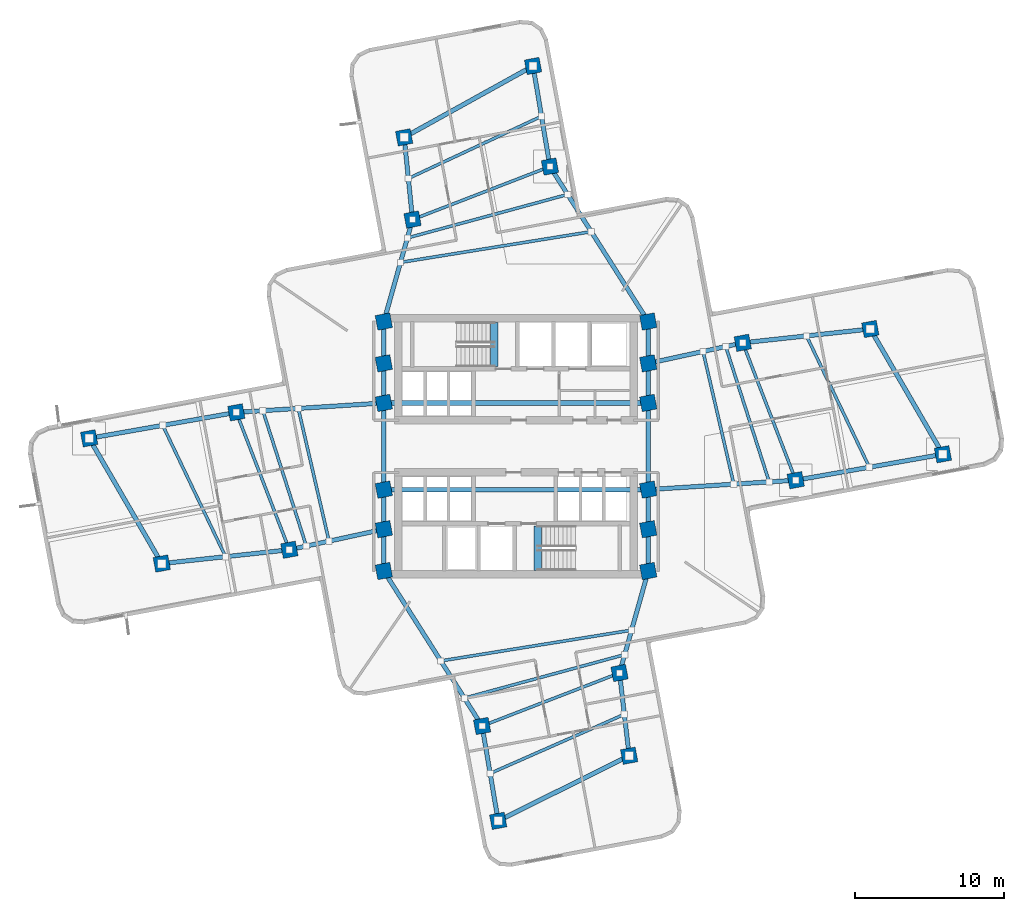
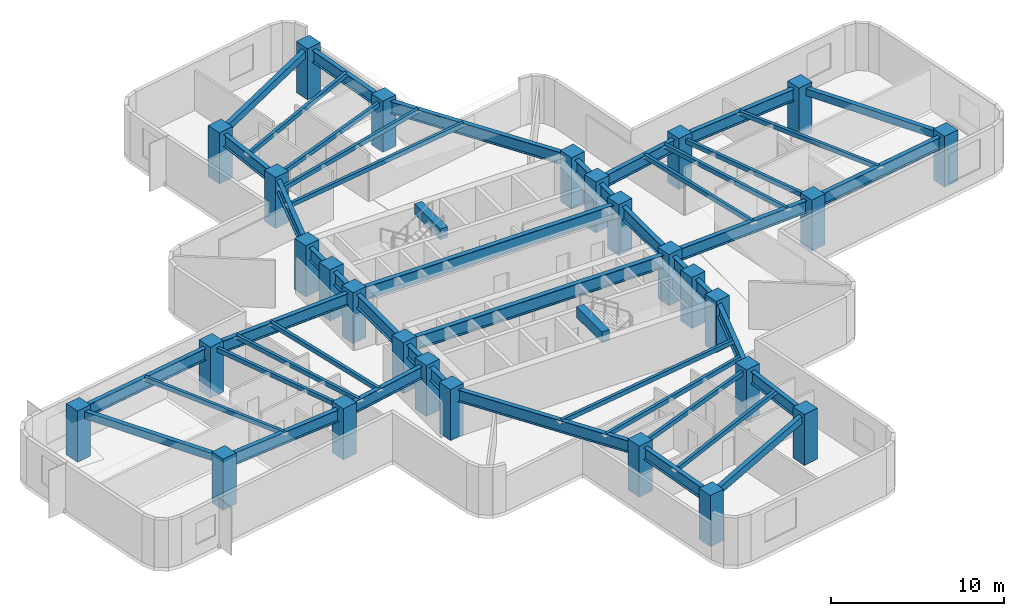
# One storey, part 1 of 9: 50 beams, 28 columns.
"""IFC4 building model written with IfcOpenShell, lengths in metres."""

from ifc_helpers import new_model, si_unit, direction, frame, origin, origin_2d, place, context, subcontext, project, spatial, rectangle, hollow_rectangle, i_section, extrude, material, material_profile, profile_set, type_object, element, save


model = new_model("IFC4")

# Units and contexts
model_context = context("Model", 3, precision=1e-05, world=origin(), true_north=direction((0.0, 1.0)))
body_context = subcontext(model_context, "Body", "Model", "MODEL_VIEW")
ifc_project = project(units=[si_unit("LENGTHUNIT", "METRE"), si_unit("AREAUNIT", "SQUARE_METRE"), si_unit("VOLUMEUNIT", "CUBIC_METRE"), si_unit("PLANEANGLEUNIT", "RADIAN"), si_unit("MASSUNIT", "GRAM", prefix="KILO")], contexts=[model_context])

# Site, building, storey
site_placement = place(None, origin())
site = spatial("IfcSite", under=ifc_project, at=site_placement, CompositionType="ELEMENT")
building_placement = place(site_placement, origin())
building = spatial("IfcBuilding", under=site, at=building_placement, Name="Solmarez Civic Tower", CompositionType="ELEMENT")
storey_placement = place(building_placement, frame((0.0, 0.0, 100.080078125)))
storey = spatial("IfcBuildingStorey", under=building, at=storey_placement, Name="L26", CompositionType="ELEMENT", Elevation=100.080078125)

# Columns
ifc_material_1 = material(Name="Concrete C60/75", Category="concrete")
ifc_material_profile_1 = material_profile(ifc_material_1, rectangle(XDim=1.0, YDim=1.0, at=origin_2d()), Name="RC1000X1000")
ifc_profile_set_1 = profile_set([ifc_material_profile_1], Name="Concrete C60/75")
column_type = type_object("IfcColumnType", Name="COL-RC1000", PredefinedType="COLUMN", material=ifc_profile_set_1)
for number, where, z_axis, x_axis, name in (
    (1, (-8.85009765625, -5.550048828125, 0.0), (0.0, 0.0, 1.0), (0.98293534915, 0.183951350613, 0.0), "L26 Structural Column HC1"),
    (2, (-8.85009765625, -2.89990234375, 0.0), (0.0, 0.0, 1.0), (0.98293534915, 0.183951350613, 0.0), "L26 Structural Column HC2"),
    (3, (-8.85009765625, 2.89990234375, 0.0), (0.0, 0.0, 1.0), (0.98293534915, 0.183951350613, 0.0), "L26 Structural Column HC3"),
    (4, (-8.85009765625, 5.550048828125, 0.0), (0.0, 0.0, 1.0), (0.98293534915, 0.183951350613, 0.0), "L26 Structural Column HC4"),
    (5, (8.85009765625, -5.550048828125, 0.0), (0.0, 0.0, 1.0), (0.98293534915, 0.183951350613, 0.0), "L26 Structural Column HC5"),
    (6, (8.85009765625, -2.89990234375, 0.0), (0.0, 0.0, 1.0), (0.98293534915, 0.183951350613, 0.0), "L26 Structural Column HC6"),
    (7, (8.85009765625, 2.89990234375, 0.0), (0.0, 0.0, 1.0), (0.98293534915, 0.183951350613, 0.0), "L26 Structural Column HC7"),
    (8, (8.85009765625, 5.550048828125, 0.0), (0.0, 0.0, 1.0), (0.98293534915, 0.183951350613, 0.0), "L26 Structural Column HC8"),
    (9, (-8.85009765625, 8.35009765625, 0.0), (0.0, 0.0, 1.0), (0.98293534915, 0.183951350613, 0.0), "L26 Structural Column HC9"),
    (10, (8.85009765625, -8.35009765625, 0.0), (0.0, 0.0, 1.0), (0.98293534915, 0.183951350613, 0.0), "L26 Structural Column HC10"),
    (11, (8.85009765625, 8.35009765625, 0.0), (0.0, 0.0, 1.0), (0.98293534915, 0.183951350613, 0.0), "L26 Structural Column HC11"),
    (12, (-8.85009765625, -8.35009765625, 0.0), (0.0, 0.0, 1.0), (0.98293534915, 0.183951350613, 0.0), "L26 Structural Column HC12"),
    (13, (18.72412109375, -2.27099609375, 0.0), (0.0, 0.0, 1.0), (0.98293534915, 0.183951350613, 0.0), "L26 Structural Column EA11"),
    (14, (15.175048828125, 6.927001953125, 0.0), (0.0, 0.0, 1.0), (0.98293534915, 0.183951350613, 0.0), "L26 Structural Column EA12"),
    (15, (28.575927734375, -0.532958984375, 0.0), (0.0, 0.0, 1.0), (0.98293534915, 0.183951350613, 0.0), "L26 Structural Column EA21"),
    (16, (23.715087890625, 7.85107421875, 0.0), (0.0, 0.0, 1.0), (0.98293534915, 0.183951350613, 0.0), "L26 Structural Column EA22"),
    (17, (2.27099609375, 18.72412109375, 0.0), (0.0, 0.0, 1.0), (0.98293534915, 0.183951350613, 0.0), "L26 Structural Column NA11"),
    (18, (-6.927001953125, 15.175048828125, 0.0), (0.0, 0.0, 1.0), (0.98293534915, 0.183951350613, 0.0), "L26 Structural Column NA12"),
    (19, (1.138916015625, 25.45703125, 0.0), (0.0, 0.0, 1.0), (0.98293534915, 0.183951350613, 0.0), "L26 Structural Column NA21"),
    (20, (-7.489013671875, 20.678955078125, 0.0), (0.0, 0.0, 1.0), (0.98293534915, 0.183951350613, 0.0), "L26 Structural Column NA22"),
    (21, (-18.72412109375, 2.27099609375, 0.0), (0.0, 0.0, 1.0), (0.98293534915, 0.183951350613, 0.0), "L26 Structural Column WA11"),
    (22, (-15.175048828125, -6.927001953125, 0.0), (0.0, 0.0, 1.0), (0.98293534915, 0.183951350613, 0.0), "L26 Structural Column WA12"),
    (23, (-28.575927734375, 0.532958984375, 0.0), (0.0, 0.0, 1.0), (0.98293534915, 0.183951350613, 0.0), "L26 Structural Column WA21"),
    (24, (-23.715087890625, -7.85107421875, 0.0), (0.0, 0.0, 1.0), (0.98293534915, 0.183951350613, 0.0), "L26 Structural Column WA22"),
    (25, (-2.27099609375, -18.72412109375, 0.0), (0.0, 0.0, 1.0), (0.98293534915, 0.183951350613, 0.0), "L26 Structural Column SA11"),
    (26, (6.927001953125, -15.175048828125, 0.0), (0.0, 0.0, 1.0), (0.98293534915, 0.183951350613, 0.0), "L26 Structural Column SA12"),
    (27, (-1.195068359375, -25.073974609375, 0.0), (0.0, 0.0, 1.0), (0.98293534915, 0.183951350613, 0.0), "L26 Structural Column SA21"),
    (28, (7.573974609375, -20.714111328125, 0.0), (0.0, 0.0, 1.0), (0.98293534915, 0.183951350613, 0.0), "L26 Structural Column SA22"),
):
    element("IfcColumn", number, at=place(storey_placement, frame(where, z_axis=z_axis, x_axis=x_axis)), inside=storey, type_object=column_type, Name=name, PredefinedType="COLUMN", context=body_context, shape_type="SweptSolid", body=[
        extrude(rectangle(XDim=1.0, YDim=1.0, at=origin_2d()), origin(), (0.0, 0.0, 1.0), 3.599853515625),
    ])

# Beams
ifc_material_2 = material(Name="Steel S355", Category="steel")
ifc_material_profile_2 = material_profile(ifc_material_2, hollow_rectangle(XDim=0.199951171875, YDim=0.300048828125, WallThickness=0.011962890625, at=origin_2d()), Name="HSS300X200X12")
ifc_profile_set_2 = profile_set([ifc_material_profile_2], Name="Steel S355")
beam_type_1 = type_object("IfcBeamType", Name="BM-JS-HSS300X200", PredefinedType="JOIST", material=ifc_profile_set_2)
beam_1_placement = place(storey_placement, frame((18.72412109375, -2.27099609375, 3.18994140625), z_axis=(-0.359984466214, 0.932958297077, 0.0), x_axis=(-0.932958297077, -0.359984466214, 0.0)))
element("IfcBeam", 29, at=beam_1_placement, inside=storey, type_object=beam_type_1, Name="L26 Secondary Floor Joist BM-L26-EA-T1", PredefinedType="JOIST", context=body_context, shape_type="SweptSolid", body=[
    extrude(hollow_rectangle(XDim=0.199951171875, YDim=0.300048828125, WallThickness=0.011962890625, at=origin_2d()), origin(), (0.0, 0.0, 1.0), 9.85888671875),
])
beam_2_placement = place(storey_placement, frame((23.64990234375, -1.402099609375, 3.18994140625), z_axis=(-0.431491843414, 0.902116837814, 0.0), x_axis=(-0.902116837814, -0.431491843414, 0.0)))
element("IfcBeam", 30, at=beam_2_placement, inside=storey, type_object=beam_type_1, Name="L26 Secondary Floor Joist JS-L26-EA-M2", PredefinedType="JOIST", context=body_context, shape_type="SweptSolid", body=[
    extrude(hollow_rectangle(XDim=0.199951171875, YDim=0.300048828125, WallThickness=0.011962890625, at=origin_2d()), origin(), (0.0, 0.0, 1.0), 9.744873046875),
])
beam_3_placement = place(storey_placement, frame((14.576904296875, -2.534912109375, 3.18994140625), z_axis=(-0.225762717226, 0.974182321494, 0.0), x_axis=(-0.974182321494, -0.225762717226, 0.0)))
element("IfcBeam", 31, at=beam_3_placement, inside=storey, type_object=beam_type_1, Name="L26 Secondary Floor Joist JS-L26-EA-M11", PredefinedType="JOIST", context=body_context, shape_type="SweptSolid", body=[
    extrude(hollow_rectangle(XDim=0.199951171875, YDim=0.300048828125, WallThickness=0.011962890625, at=origin_2d()), origin(), (0.0, 0.0, 1.0), 9.119384765625),
])
beam_4_placement = place(storey_placement, frame((16.947021484375, -2.384033203125, 3.18994140625), z_axis=(-0.305705295997, 0.952126184914, 0.0), x_axis=(-0.952126184914, -0.305705295997, 0.0)))
element("IfcBeam", 32, at=beam_4_placement, inside=storey, type_object=beam_type_1, Name="L26 Secondary Floor Joist JS-L26-EA-M12", PredefinedType="JOIST", context=body_context, shape_type="SweptSolid", body=[
    extrude(hollow_rectangle(XDim=0.199951171875, YDim=0.300048828125, WallThickness=0.011962890625, at=origin_2d()), origin(), (0.0, 0.0, 1.0), 9.518798828125),
])
beam_5_placement = place(storey_placement, frame((2.27099609375, 18.72412109375, 3.18994140625), z_axis=(-0.932958297077, -0.359984466214, 0.0), x_axis=(0.359984466214, -0.932958297077, 0.0)))
element("IfcBeam", 33, at=beam_5_placement, inside=storey, type_object=beam_type_1, Name="L26 Secondary Floor Joist BM-L26-NA-T1", PredefinedType="JOIST", context=body_context, shape_type="SweptSolid", body=[
    extrude(hollow_rectangle(XDim=0.199951171875, YDim=0.300048828125, WallThickness=0.011962890625, at=origin_2d()), origin(), (0.0, 0.0, 1.0), 9.85888671875),
])
beam_6_placement = place(storey_placement, frame((1.705078125, 22.090087890625, 3.18994140625), z_axis=(-0.906041066986, -0.423189774138, 0.0), x_axis=(0.423189774138, -0.906041066986, 0.0)))
element("IfcBeam", 34, at=beam_6_placement, inside=storey, type_object=beam_type_1, Name="L26 Secondary Floor Joist JS-L26-NA-M2", PredefinedType="JOIST", context=body_context, shape_type="SweptSolid", body=[
    extrude(hollow_rectangle(XDim=0.199951171875, YDim=0.300048828125, WallThickness=0.011962890625, at=origin_2d()), origin(), (0.0, 0.0, 1.0), 9.83740234375),
])
beam_7_placement = place(storey_placement, frame((5.033935546875, 14.366943359375, 3.18994140625), z_axis=(-0.987261309887, -0.159107215423, 0.0), x_axis=(0.159107215423, -0.987261309887, 0.0)))
element("IfcBeam", 35, at=beam_7_placement, inside=storey, type_object=beam_type_1, Name="L26 Secondary Floor Joist JS-L26-NA-M11", PredefinedType="JOIST", context=body_context, shape_type="SweptSolid", body=[
    extrude(hollow_rectangle(XDim=0.199951171875, YDim=0.300048828125, WallThickness=0.011962890625, at=origin_2d()), origin(), (0.0, 0.0, 1.0), 12.933837890625),
])
beam_8_placement = place(storey_placement, frame((3.455078125, 16.85693359375, 3.18994140625), z_axis=(-0.965126314795, -0.261784637614, 0.0), x_axis=(0.261784637614, -0.965126314795, 0.0)))
element("IfcBeam", 36, at=beam_8_placement, inside=storey, type_object=beam_type_1, Name="L26 Secondary Floor Joist JS-L26-NA-M12", PredefinedType="JOIST", context=body_context, shape_type="SweptSolid", body=[
    extrude(hollow_rectangle(XDim=0.199951171875, YDim=0.300048828125, WallThickness=0.011962890625, at=origin_2d()), origin(), (0.0, 0.0, 1.0), 11.11572265625),
])
beam_9_placement = place(storey_placement, frame((-18.72412109375, 2.27099609375, 3.18994140625), z_axis=(0.359984466214, -0.932958297077, 0.0), x_axis=(0.932958297077, 0.359984466214, 0.0)))
element("IfcBeam", 37, at=beam_9_placement, inside=storey, type_object=beam_type_1, Name="L26 Secondary Floor Joist BM-L26-WA-T1", PredefinedType="JOIST", context=body_context, shape_type="SweptSolid", body=[
    extrude(hollow_rectangle(XDim=0.199951171875, YDim=0.300048828125, WallThickness=0.011962890625, at=origin_2d()), origin(), (0.0, 0.0, 1.0), 9.85888671875),
])
beam_10_placement = place(storey_placement, frame((-23.64990234375, 1.402099609375, 3.18994140625), z_axis=(0.431491843414, -0.902116837814, 0.0), x_axis=(0.902116837814, 0.431491843414, 0.0)))
element("IfcBeam", 38, at=beam_10_placement, inside=storey, type_object=beam_type_1, Name="L26 Secondary Floor Joist JS-L26-WA-M2", PredefinedType="JOIST", context=body_context, shape_type="SweptSolid", body=[
    extrude(hollow_rectangle(XDim=0.199951171875, YDim=0.300048828125, WallThickness=0.011962890625, at=origin_2d()), origin(), (0.0, 0.0, 1.0), 9.744873046875),
])
beam_11_placement = place(storey_placement, frame((-14.576904296875, 2.534912109375, 3.18994140625), z_axis=(0.225762717226, -0.974182321494, 0.0), x_axis=(0.974182321494, 0.225762717226, 0.0)))
element("IfcBeam", 39, at=beam_11_placement, inside=storey, type_object=beam_type_1, Name="L26 Secondary Floor Joist JS-L26-WA-M11", PredefinedType="JOIST", context=body_context, shape_type="SweptSolid", body=[
    extrude(hollow_rectangle(XDim=0.199951171875, YDim=0.300048828125, WallThickness=0.011962890625, at=origin_2d()), origin(), (0.0, 0.0, 1.0), 9.119384765625),
])
beam_12_placement = place(storey_placement, frame((-16.947021484375, 2.384033203125, 3.18994140625), z_axis=(0.305705295997, -0.952126184914, 0.0), x_axis=(0.952126184914, 0.305705295997, 0.0)))
element("IfcBeam", 40, at=beam_12_placement, inside=storey, type_object=beam_type_1, Name="L26 Secondary Floor Joist JS-L26-WA-M12", PredefinedType="JOIST", context=body_context, shape_type="SweptSolid", body=[
    extrude(hollow_rectangle(XDim=0.199951171875, YDim=0.300048828125, WallThickness=0.011962890625, at=origin_2d()), origin(), (0.0, 0.0, 1.0), 9.518798828125),
])
beam_13_placement = place(storey_placement, frame((-2.27099609375, -18.72412109375, 3.18994140625), z_axis=(0.932958297077, 0.359984466214, 0.0), x_axis=(-0.359984466214, 0.932958297077, 0.0)))
element("IfcBeam", 41, at=beam_13_placement, inside=storey, type_object=beam_type_1, Name="L26 Secondary Floor Joist BM-L26-SA-T1", PredefinedType="JOIST", context=body_context, shape_type="SweptSolid", body=[
    extrude(hollow_rectangle(XDim=0.199951171875, YDim=0.300048828125, WallThickness=0.011962890625, at=origin_2d()), origin(), (0.0, 0.0, 1.0), 9.85888671875),
])
beam_14_placement = place(storey_placement, frame((-1.73291015625, -21.89892578125, 3.18994140625), z_axis=(0.915226616427, 0.402939499905, 0.0), x_axis=(-0.402939499905, 0.915226616427, 0.0)))
element("IfcBeam", 42, at=beam_14_placement, inside=storey, type_object=beam_type_1, Name="L26 Secondary Floor Joist JS-L26-SA-M2", PredefinedType="JOIST", context=body_context, shape_type="SweptSolid", body=[
    extrude(hollow_rectangle(XDim=0.199951171875, YDim=0.300048828125, WallThickness=0.011962890625, at=origin_2d()), origin(), (0.0, 0.0, 1.0), 9.81494140625),
])
beam_15_placement = place(storey_placement, frame((-5.033935546875, -14.366943359375, 3.18994140625), z_axis=(0.987261309887, 0.159107215423, 0.0), x_axis=(-0.159107215423, 0.987261309887, 0.0)))
element("IfcBeam", 43, at=beam_15_placement, inside=storey, type_object=beam_type_1, Name="L26 Secondary Floor Joist JS-L26-SA-M11", PredefinedType="JOIST", context=body_context, shape_type="SweptSolid", body=[
    extrude(hollow_rectangle(XDim=0.199951171875, YDim=0.300048828125, WallThickness=0.011962890625, at=origin_2d()), origin(), (0.0, 0.0, 1.0), 12.933837890625),
])
beam_16_placement = place(storey_placement, frame((-3.455078125, -16.85693359375, 3.18994140625), z_axis=(0.965126314795, 0.261784637614, 0.0), x_axis=(-0.261784637614, 0.965126314795, 0.0)))
element("IfcBeam", 44, at=beam_16_placement, inside=storey, type_object=beam_type_1, Name="L26 Secondary Floor Joist JS-L26-SA-M12", PredefinedType="JOIST", context=body_context, shape_type="SweptSolid", body=[
    extrude(hollow_rectangle(XDim=0.199951171875, YDim=0.300048828125, WallThickness=0.011962890625, at=origin_2d()), origin(), (0.0, 0.0, 1.0), 11.11572265625),
])
ifc_material_3 = material(Name="Concrete C50/60", Category="concrete")
ifc_material_profile_3 = material_profile(ifc_material_3, rectangle(XDim=0.5, YDim=0.75, at=origin_2d()), Name="RC500X750")
ifc_profile_set_3 = profile_set([ifc_material_profile_3], Name="Concrete C50/60")
beam_type_2 = type_object("IfcBeamType", Name="BM-PR-RC500X750", PredefinedType="BEAM", material=ifc_profile_set_3)
for number, where, z_axis, x_axis, name in (
    (45, (-1.449951171875, 5.340087890625, 3.23291015625), (0.0, 1.0, 0.0), (-1.0, 0.0, 0.0), "L26 North Stair Threshold Beam"),
    (46, (1.449951171875, -8.300048828125, 3.23291015625), (0.0, 1.0, 0.0), (-1.0, 0.0, 0.0), "L26 South Stair Threshold Beam"),
):
    element("IfcBeam", number, at=place(storey_placement, frame(where, z_axis=z_axis, x_axis=x_axis)), inside=storey, type_object=beam_type_2, Name=name, PredefinedType="BEAM", context=body_context, shape_type="SweptSolid", body=[
        extrude(rectangle(XDim=0.5, YDim=0.75, at=origin_2d()), origin(), (0.0, 0.0, 1.0), 2.9599609375),
    ])
ifc_material_profile_4 = material_profile(ifc_material_2, i_section(OverallWidth=0.2919921875, OverallDepth=0.845947265625, WebThickness=0.015380859375, FlangeThickness=0.0244140625, at=origin_2d()), Name="W33X141")
ifc_profile_set_4 = profile_set([ifc_material_profile_4], Name="Steel S355")
beam_type_3 = type_object("IfcBeamType", Name="BM-PR-W33X141", PredefinedType="BEAM", material=ifc_profile_set_4)
beam_17_placement = place(storey_placement, frame((8.85009765625, -2.89990234375, 2.9169921875), z_axis=(0.997977751208, 0.063564204508, 0.0), x_axis=(-0.063564204508, 0.997977751208, 0.0)))
element("IfcBeam", 47, at=beam_17_placement, inside=storey, type_object=beam_type_3, Name="L26 Primary Floor Beam BM-L26-EA-R1A", PredefinedType="BEAM", context=body_context, shape_type="SweptSolid", body=[
    extrude(i_section(OverallWidth=0.2919921875, OverallDepth=0.845947265625, WebThickness=0.015380859375, FlangeThickness=0.0244140625, at=origin_2d()), origin(), (0.0, 0.0, 1.0), 9.89404296875),
])
beam_18_placement = place(storey_placement, frame((8.85009765625, 5.550048828125, 2.9169921875), z_axis=(0.977113347202, 0.212719314402, 0.0), x_axis=(-0.212719314402, 0.977113347202, 0.0)))
element("IfcBeam", 48, at=beam_18_placement, inside=storey, type_object=beam_type_3, Name="L26 Primary Floor Beam BM-L26-EA-R1B", PredefinedType="BEAM", context=body_context, shape_type="SweptSolid", body=[
    extrude(i_section(OverallWidth=0.2919921875, OverallDepth=0.845947265625, WebThickness=0.015380859375, FlangeThickness=0.0244140625, at=origin_2d()), origin(), (0.0, 0.0, 1.0), 6.47314453125),
])
beam_19_placement = place(storey_placement, frame((18.72412109375, -2.27099609375, 2.9169921875), z_axis=(0.984792402105, 0.173735214497, 0.0), x_axis=(-0.173735214497, 0.984792402105, 0.0)))
element("IfcBeam", 49, at=beam_19_placement, inside=storey, type_object=beam_type_3, Name="L26 Primary Floor Beam BM-L26-EA-R2A", PredefinedType="BEAM", context=body_context, shape_type="SweptSolid", body=[
    extrude(i_section(OverallWidth=0.2919921875, OverallDepth=0.845947265625, WebThickness=0.015380859375, FlangeThickness=0.0244140625, at=origin_2d()), origin(), (0.0, 0.0, 1.0), 10.00390625),
])
beam_20_placement = place(storey_placement, frame((15.175048828125, 6.927001953125, 2.9169921875), z_axis=(0.994196782435, 0.107576753045, 0.0), x_axis=(-0.107576753045, 0.994196782435, 0.0)))
element("IfcBeam", 50, at=beam_20_placement, inside=storey, type_object=beam_type_3, Name="L26 Primary Floor Beam BM-L26-EA-R2B", PredefinedType="BEAM", context=body_context, shape_type="SweptSolid", body=[
    extrude(i_section(OverallWidth=0.2919921875, OverallDepth=0.845947265625, WebThickness=0.015380859375, FlangeThickness=0.0244140625, at=origin_2d()), origin(), (0.0, 0.0, 1.0), 8.58984375),
])
beam_21_placement = place(storey_placement, frame((8.85009765625, 8.35009765625, 2.9169921875), z_axis=(-0.535568299099, 0.84449191648, 0.0), x_axis=(-0.84449191648, -0.535568299099, 0.0)))
element("IfcBeam", 51, at=beam_21_placement, inside=storey, type_object=beam_type_3, Name="L26 Primary Floor Beam BM-L26-NA-R1A", PredefinedType="BEAM", context=body_context, shape_type="SweptSolid", body=[
    extrude(i_section(OverallWidth=0.2919921875, OverallDepth=0.845947265625, WebThickness=0.015380859375, FlangeThickness=0.0244140625, at=origin_2d()), origin(), (0.0, 0.0, 1.0), 12.284423828125),
])
beam_22_placement = place(storey_placement, frame((-8.85009765625, 8.35009765625, 2.9169921875), z_axis=(0.271213183726, 0.962519303169, 0.0), x_axis=(-0.962519303169, 0.271213183726, 0.0)))
element("IfcBeam", 52, at=beam_22_placement, inside=storey, type_object=beam_type_3, Name="L26 Primary Floor Beam BM-L26-NA-R1B", PredefinedType="BEAM", context=body_context, shape_type="SweptSolid", body=[
    extrude(i_section(OverallWidth=0.2919921875, OverallDepth=0.845947265625, WebThickness=0.015380859375, FlangeThickness=0.0244140625, at=origin_2d()), origin(), (0.0, 0.0, 1.0), 7.0908203125),
])
beam_23_placement = place(storey_placement, frame((2.27099609375, 18.72412109375, 2.9169921875), z_axis=(-0.165813708215, 0.986157094062, 0.0), x_axis=(-0.986157094062, -0.165813708215, 0.0)))
element("IfcBeam", 53, at=beam_23_placement, inside=storey, type_object=beam_type_3, Name="L26 Primary Floor Beam BM-L26-NA-R2A", PredefinedType="BEAM", context=body_context, shape_type="SweptSolid", body=[
    extrude(i_section(OverallWidth=0.2919921875, OverallDepth=0.845947265625, WebThickness=0.015380859375, FlangeThickness=0.0244140625, at=origin_2d()), origin(), (0.0, 0.0, 1.0), 6.827392578125),
])
beam_24_placement = place(storey_placement, frame((-6.927001953125, 15.175048828125, 2.9169921875), z_axis=(-0.101583208843, 0.994827046115, 0.0), x_axis=(-0.994827046115, -0.101583208843, 0.0)))
element("IfcBeam", 54, at=beam_24_placement, inside=storey, type_object=beam_type_3, Name="L26 Primary Floor Beam BM-L26-NA-R2B", PredefinedType="BEAM", context=body_context, shape_type="SweptSolid", body=[
    extrude(i_section(OverallWidth=0.2919921875, OverallDepth=0.845947265625, WebThickness=0.015380859375, FlangeThickness=0.0244140625, at=origin_2d()), origin(), (0.0, 0.0, 1.0), 5.532470703125),
])
beam_25_placement = place(storey_placement, frame((-8.85009765625, 2.89990234375, 2.9169921875), z_axis=(-0.997977751208, -0.063564204508, 0.0), x_axis=(0.063564204508, -0.997977751208, 0.0)))
element("IfcBeam", 55, at=beam_25_placement, inside=storey, type_object=beam_type_3, Name="L26 Primary Floor Beam BM-L26-WA-R1A", PredefinedType="BEAM", context=body_context, shape_type="SweptSolid", body=[
    extrude(i_section(OverallWidth=0.2919921875, OverallDepth=0.845947265625, WebThickness=0.015380859375, FlangeThickness=0.0244140625, at=origin_2d()), origin(), (0.0, 0.0, 1.0), 9.89404296875),
])
beam_26_placement = place(storey_placement, frame((-8.85009765625, -5.550048828125, 2.9169921875), z_axis=(-0.977113347202, -0.212719314402, 0.0), x_axis=(0.212719314402, -0.977113347202, 0.0)))
element("IfcBeam", 56, at=beam_26_placement, inside=storey, type_object=beam_type_3, Name="L26 Primary Floor Beam BM-L26-WA-R1B", PredefinedType="BEAM", context=body_context, shape_type="SweptSolid", body=[
    extrude(i_section(OverallWidth=0.2919921875, OverallDepth=0.845947265625, WebThickness=0.015380859375, FlangeThickness=0.0244140625, at=origin_2d()), origin(), (0.0, 0.0, 1.0), 6.47314453125),
])
beam_27_placement = place(storey_placement, frame((-18.72412109375, 2.27099609375, 2.9169921875), z_axis=(-0.984792402105, -0.173735214497, 0.0), x_axis=(0.173735214497, -0.984792402105, 0.0)))
element("IfcBeam", 57, at=beam_27_placement, inside=storey, type_object=beam_type_3, Name="L26 Primary Floor Beam BM-L26-WA-R2A", PredefinedType="BEAM", context=body_context, shape_type="SweptSolid", body=[
    extrude(i_section(OverallWidth=0.2919921875, OverallDepth=0.845947265625, WebThickness=0.015380859375, FlangeThickness=0.0244140625, at=origin_2d()), origin(), (0.0, 0.0, 1.0), 10.00390625),
])
beam_28_placement = place(storey_placement, frame((-15.175048828125, -6.927001953125, 2.9169921875), z_axis=(-0.994196782435, -0.107576753045, 0.0), x_axis=(0.107576753045, -0.994196782435, 0.0)))
element("IfcBeam", 58, at=beam_28_placement, inside=storey, type_object=beam_type_3, Name="L26 Primary Floor Beam BM-L26-WA-R2B", PredefinedType="BEAM", context=body_context, shape_type="SweptSolid", body=[
    extrude(i_section(OverallWidth=0.2919921875, OverallDepth=0.845947265625, WebThickness=0.015380859375, FlangeThickness=0.0244140625, at=origin_2d()), origin(), (0.0, 0.0, 1.0), 8.58984375),
])
beam_29_placement = place(storey_placement, frame((-8.85009765625, -8.35009765625, 2.9169921875), z_axis=(0.535568299099, -0.84449191648, 0.0), x_axis=(0.84449191648, 0.535568299099, 0.0)))
element("IfcBeam", 59, at=beam_29_placement, inside=storey, type_object=beam_type_3, Name="L26 Primary Floor Beam BM-L26-SA-R1A", PredefinedType="BEAM", context=body_context, shape_type="SweptSolid", body=[
    extrude(i_section(OverallWidth=0.2919921875, OverallDepth=0.845947265625, WebThickness=0.015380859375, FlangeThickness=0.0244140625, at=origin_2d()), origin(), (0.0, 0.0, 1.0), 12.284423828125),
])
beam_30_placement = place(storey_placement, frame((8.85009765625, -8.35009765625, 2.9169921875), z_axis=(-0.271213183726, -0.962519303169, 0.0), x_axis=(0.962519303169, -0.271213183726, 0.0)))
element("IfcBeam", 60, at=beam_30_placement, inside=storey, type_object=beam_type_3, Name="L26 Primary Floor Beam BM-L26-SA-R1B", PredefinedType="BEAM", context=body_context, shape_type="SweptSolid", body=[
    extrude(i_section(OverallWidth=0.2919921875, OverallDepth=0.845947265625, WebThickness=0.015380859375, FlangeThickness=0.0244140625, at=origin_2d()), origin(), (0.0, 0.0, 1.0), 7.0908203125),
])
beam_31_placement = place(storey_placement, frame((-2.27099609375, -18.72412109375, 2.9169921875), z_axis=(0.167060138422, -0.985946707561, 0.0), x_axis=(0.985946707561, 0.167060138422, 0.0)))
element("IfcBeam", 61, at=beam_31_placement, inside=storey, type_object=beam_type_3, Name="L26 Primary Floor Beam BM-L26-SA-R2A", PredefinedType="BEAM", context=body_context, shape_type="SweptSolid", body=[
    extrude(i_section(OverallWidth=0.2919921875, OverallDepth=0.845947265625, WebThickness=0.015380859375, FlangeThickness=0.0244140625, at=origin_2d()), origin(), (0.0, 0.0, 1.0), 6.4404296875),
])
beam_32_placement = place(storey_placement, frame((6.927001953125, -15.175048828125, 2.9169921875), z_axis=(0.11601314993, -0.993247677593, 0.0), x_axis=(0.993247677593, 0.11601314993, 0.0)))
element("IfcBeam", 62, at=beam_32_placement, inside=storey, type_object=beam_type_3, Name="L26 Primary Floor Beam BM-L26-SA-R2B", PredefinedType="BEAM", context=body_context, shape_type="SweptSolid", body=[
    extrude(i_section(OverallWidth=0.2919921875, OverallDepth=0.845947265625, WebThickness=0.015380859375, FlangeThickness=0.0244140625, at=origin_2d()), origin(), (0.0, 0.0, 1.0), 5.57666015625),
])
ifc_material_profile_5 = material_profile(ifc_material_2, i_section(OverallWidth=0.306884765625, OverallDepth=0.927001953125, WebThickness=0.019287109375, FlangeThickness=0.031982421875, at=origin_2d()), Name="W36X194")
ifc_profile_set_5 = profile_set([ifc_material_profile_5], Name="Steel S355")
beam_type_4 = type_object("IfcBeamType", Name="BM-PR-W36X194", PredefinedType="BEAM", material=ifc_profile_set_5)
beam_33_placement = place(storey_placement, frame((-8.85009765625, -8.35009765625, 2.876953125), z_axis=(0.0, 1.0, 0.0), x_axis=(-1.0, 0.0, 0.0)))
element("IfcBeam", 63, at=beam_33_placement, inside=storey, type_object=beam_type_4, Name="L26 Primary Floor Beam BM-L26-HC12-HC1", PredefinedType="BEAM", context=body_context, shape_type="SweptSolid", body=[
    extrude(i_section(OverallWidth=0.306884765625, OverallDepth=0.927001953125, WebThickness=0.019287109375, FlangeThickness=0.031982421875, at=origin_2d()), origin(), (0.0, 0.0, 1.0), 2.800048828125),
])
beam_34_placement = place(storey_placement, frame((-8.85009765625, -5.550048828125, 2.876953125), z_axis=(0.0, 1.0, 0.0), x_axis=(-1.0, 0.0, 0.0)))
element("IfcBeam", 64, at=beam_34_placement, inside=storey, type_object=beam_type_4, Name="L26 Primary Floor Beam BM-L26-HC1-HC2", PredefinedType="BEAM", context=body_context, shape_type="SweptSolid", body=[
    extrude(i_section(OverallWidth=0.306884765625, OverallDepth=0.927001953125, WebThickness=0.019287109375, FlangeThickness=0.031982421875, at=origin_2d()), origin(), (0.0, 0.0, 1.0), 2.650146484375),
])
beam_35_placement = place(storey_placement, frame((-8.85009765625, -2.89990234375, 2.876953125), z_axis=(0.0, 1.0, 0.0), x_axis=(-1.0, 0.0, 0.0)))
element("IfcBeam", 65, at=beam_35_placement, inside=storey, type_object=beam_type_4, Name="L26 Primary Floor Beam BM-L26-HC2-HC3", PredefinedType="BEAM", context=body_context, shape_type="SweptSolid", body=[
    extrude(i_section(OverallWidth=0.306884765625, OverallDepth=0.927001953125, WebThickness=0.019287109375, FlangeThickness=0.031982421875, at=origin_2d()), origin(), (0.0, 0.0, 1.0), 5.7998046875),
])
beam_36_placement = place(storey_placement, frame((-8.85009765625, 2.89990234375, 2.876953125), z_axis=(0.0, 1.0, 0.0), x_axis=(-1.0, 0.0, 0.0)))
element("IfcBeam", 66, at=beam_36_placement, inside=storey, type_object=beam_type_4, Name="L26 Primary Floor Beam BM-L26-HC3-HC4", PredefinedType="BEAM", context=body_context, shape_type="SweptSolid", body=[
    extrude(i_section(OverallWidth=0.306884765625, OverallDepth=0.927001953125, WebThickness=0.019287109375, FlangeThickness=0.031982421875, at=origin_2d()), origin(), (0.0, 0.0, 1.0), 2.650146484375),
])
for number, where, z_axis, x_axis, name in (
    (67, (-8.85009765625, 5.550048828125, 2.876953125), (0.0, 1.0, 0.0), (-1.0, 0.0, 0.0), "L26 Primary Floor Beam BM-L26-HC4-HC9"),
    (68, (8.85009765625, -8.35009765625, 2.876953125), (0.0, 1.0, 0.0), (-1.0, 0.0, 0.0), "L26 Primary Floor Beam BM-L26-HC10-HC5"),
):
    element("IfcBeam", number, at=place(storey_placement, frame(where, z_axis=z_axis, x_axis=x_axis)), inside=storey, type_object=beam_type_4, Name=name, PredefinedType="BEAM", context=body_context, shape_type="SweptSolid", body=[
        extrude(i_section(OverallWidth=0.306884765625, OverallDepth=0.927001953125, WebThickness=0.019287109375, FlangeThickness=0.031982421875, at=origin_2d()), origin(), (0.0, 0.0, 1.0), 2.800048828125),
    ])
beam_37_placement = place(storey_placement, frame((8.85009765625, -5.550048828125, 2.876953125), z_axis=(0.0, 1.0, 0.0), x_axis=(-1.0, 0.0, 0.0)))
element("IfcBeam", 69, at=beam_37_placement, inside=storey, type_object=beam_type_4, Name="L26 Primary Floor Beam BM-L26-HC5-HC6", PredefinedType="BEAM", context=body_context, shape_type="SweptSolid", body=[
    extrude(i_section(OverallWidth=0.306884765625, OverallDepth=0.927001953125, WebThickness=0.019287109375, FlangeThickness=0.031982421875, at=origin_2d()), origin(), (0.0, 0.0, 1.0), 2.650146484375),
])
beam_38_placement = place(storey_placement, frame((8.85009765625, -2.89990234375, 2.876953125), z_axis=(0.0, 1.0, 0.0), x_axis=(-1.0, 0.0, 0.0)))
element("IfcBeam", 70, at=beam_38_placement, inside=storey, type_object=beam_type_4, Name="L26 Primary Floor Beam BM-L26-HC6-HC7", PredefinedType="BEAM", context=body_context, shape_type="SweptSolid", body=[
    extrude(i_section(OverallWidth=0.306884765625, OverallDepth=0.927001953125, WebThickness=0.019287109375, FlangeThickness=0.031982421875, at=origin_2d()), origin(), (0.0, 0.0, 1.0), 5.7998046875),
])
beam_39_placement = place(storey_placement, frame((8.85009765625, 2.89990234375, 2.876953125), z_axis=(0.0, 1.0, 0.0), x_axis=(-1.0, 0.0, 0.0)))
element("IfcBeam", 71, at=beam_39_placement, inside=storey, type_object=beam_type_4, Name="L26 Primary Floor Beam BM-L26-HC7-HC8", PredefinedType="BEAM", context=body_context, shape_type="SweptSolid", body=[
    extrude(i_section(OverallWidth=0.306884765625, OverallDepth=0.927001953125, WebThickness=0.019287109375, FlangeThickness=0.031982421875, at=origin_2d()), origin(), (0.0, 0.0, 1.0), 2.650146484375),
])
beam_40_placement = place(storey_placement, frame((8.85009765625, 5.550048828125, 2.876953125), z_axis=(0.0, 1.0, 0.0), x_axis=(-1.0, 0.0, 0.0)))
element("IfcBeam", 72, at=beam_40_placement, inside=storey, type_object=beam_type_4, Name="L26 Primary Floor Beam BM-L26-HC8-HC11", PredefinedType="BEAM", context=body_context, shape_type="SweptSolid", body=[
    extrude(i_section(OverallWidth=0.306884765625, OverallDepth=0.927001953125, WebThickness=0.019287109375, FlangeThickness=0.031982421875, at=origin_2d()), origin(), (0.0, 0.0, 1.0), 2.800048828125),
])
for number, where, z_axis, x_axis, name in (
    (73, (-8.85009765625, -2.89990234375, 2.876953125), (1.0, 0.0, 0.0), (0.0, 1.0, 0.0), "L26 Primary Floor Beam BM-L26-HC2-HC6"),
    (74, (-8.85009765625, 2.89990234375, 2.876953125), (1.0, 0.0, 0.0), (0.0, 1.0, 0.0), "L26 Primary Floor Beam BM-L26-HC3-HC7"),
):
    element("IfcBeam", number, at=place(storey_placement, frame(where, z_axis=z_axis, x_axis=x_axis)), inside=storey, type_object=beam_type_4, Name=name, PredefinedType="BEAM", context=body_context, shape_type="SweptSolid", body=[
        extrude(i_section(OverallWidth=0.306884765625, OverallDepth=0.927001953125, WebThickness=0.019287109375, FlangeThickness=0.031982421875, at=origin_2d()), origin(), (0.0, 0.0, 1.0), 17.7001953125),
    ])
ifc_material_profile_6 = material_profile(ifc_material_2, hollow_rectangle(XDim=0.300048828125, YDim=0.5, WallThickness=0.02001953125, at=origin_2d()), Name="HSS500X300X20")
ifc_profile_set_6 = profile_set([ifc_material_profile_6], Name="Steel S355")
beam_type_5 = type_object("IfcBeamType", Name="BM-SP-HSS500X300", PredefinedType="SPANDREL", material=ifc_profile_set_6)
beam_41_placement = place(storey_placement, frame((28.575927734375, -0.532958984375, 3.08984375), z_axis=(-0.501571424933, 0.865116238254, 0.0), x_axis=(-0.865116238254, -0.501571424933, 0.0)))
element("IfcBeam", 75, at=beam_41_placement, inside=storey, type_object=beam_type_5, Name="L26 Perimeter Spandrel Beam BM-L26-EA-T2", PredefinedType="SPANDREL", context=body_context, shape_type="SweptSolid", body=[
    extrude(hollow_rectangle(XDim=0.300048828125, YDim=0.5, WallThickness=0.02001953125, at=origin_2d()), origin(), (0.0, 0.0, 1.0), 9.691162109375),
])
beam_42_placement = place(storey_placement, frame((1.138916015625, 25.45703125, 3.08984375), z_axis=(-0.874811531682, -0.484463398035, 0.0), x_axis=(0.484463398035, -0.874811531682, 0.0)))
element("IfcBeam", 76, at=beam_42_placement, inside=storey, type_object=beam_type_5, Name="L26 Perimeter Spandrel Beam BM-L26-NA-T2", PredefinedType="SPANDREL", context=body_context, shape_type="SweptSolid", body=[
    extrude(hollow_rectangle(XDim=0.300048828125, YDim=0.5, WallThickness=0.02001953125, at=origin_2d()), origin(), (0.0, 0.0, 1.0), 9.862548828125),
])
beam_43_placement = place(storey_placement, frame((-28.575927734375, 0.532958984375, 3.08984375), z_axis=(0.501571424933, -0.865116238254, 0.0), x_axis=(0.865116238254, 0.501571424933, 0.0)))
element("IfcBeam", 77, at=beam_43_placement, inside=storey, type_object=beam_type_5, Name="L26 Perimeter Spandrel Beam BM-L26-WA-T2", PredefinedType="SPANDREL", context=body_context, shape_type="SweptSolid", body=[
    extrude(hollow_rectangle(XDim=0.300048828125, YDim=0.5, WallThickness=0.02001953125, at=origin_2d()), origin(), (0.0, 0.0, 1.0), 9.691162109375),
])
beam_44_placement = place(storey_placement, frame((-1.195068359375, -25.073974609375, 3.08984375), z_axis=(0.895432090654, 0.445198125589, 0.0), x_axis=(-0.445198125589, 0.895432090654, 0.0)))
element("IfcBeam", 78, at=beam_44_placement, inside=storey, type_object=beam_type_5, Name="L26 Perimeter Spandrel Beam BM-L26-SA-T2", PredefinedType="SPANDREL", context=body_context, shape_type="SweptSolid", body=[
    extrude(hollow_rectangle(XDim=0.300048828125, YDim=0.5, WallThickness=0.02001953125, at=origin_2d()), origin(), (0.0, 0.0, 1.0), 9.79296875),
])

save(model, "model.ifc")
